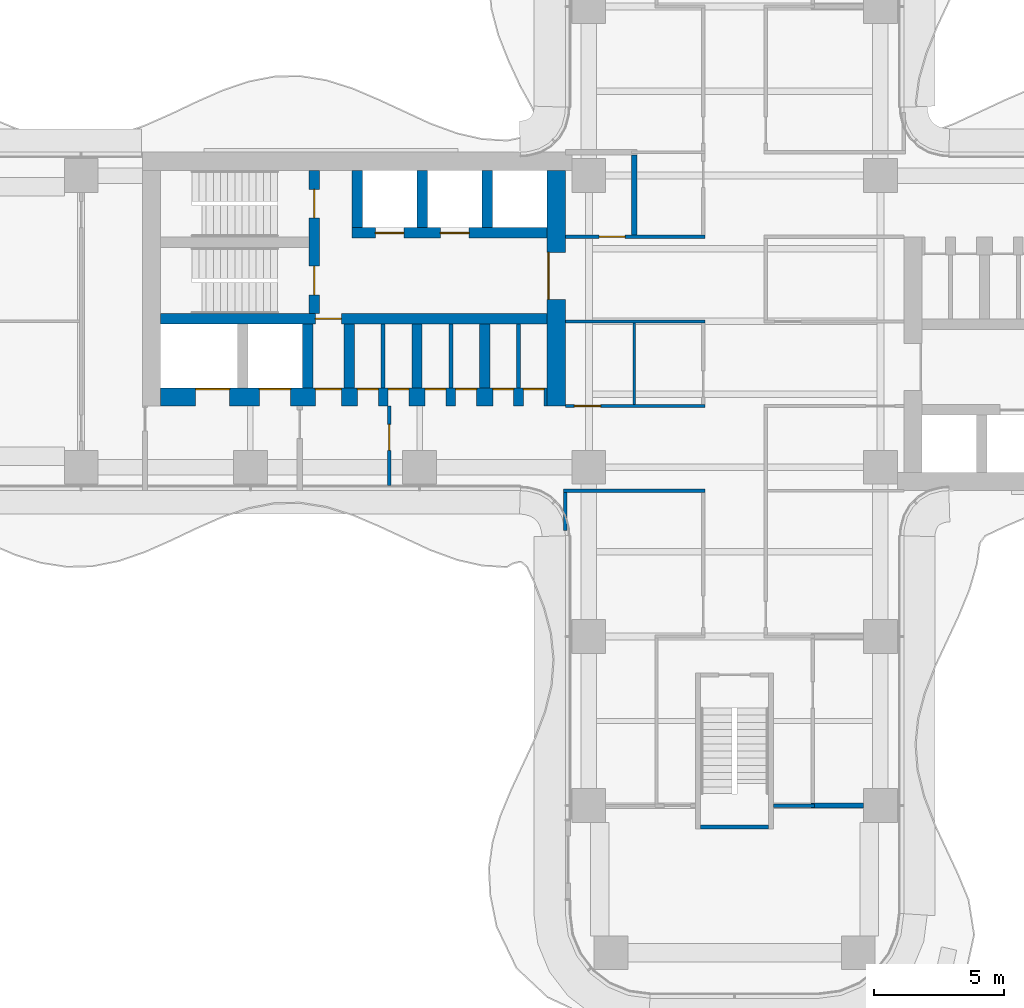
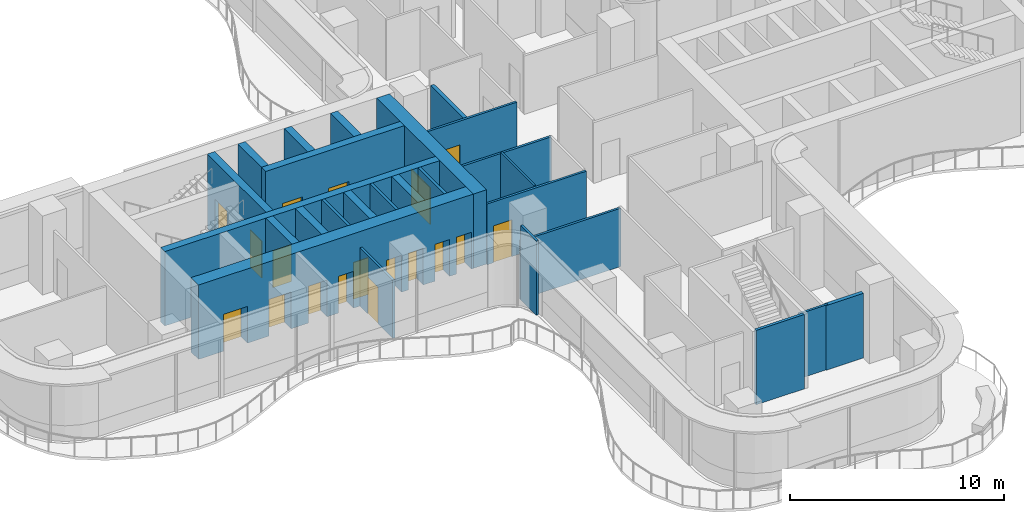
# One storey, part 15 of 20: 26 walls, 18 doors, 18 openings.
"""IFC4 building model written with IfcOpenShell, lengths in metres."""

import ifcopenshell
import ifcopenshell.guid

model = None  # the IFC model being written
_history = None  # IfcOwnerHistory: only IFC2X3 demands one
_inside = {}  # id of a spatial element -> (the spatial element, [elements in it])
_under = {}  # id of a project, library or spatial element -> (it, [spatial elements below it])
_declared = {}  # id of a project -> (the project, [libraries it declares])
_typed = {}  # id of a type object -> (the type object, [elements of that type])
_made_of = {}  # id of a material, layer set ... -> (it, [elements and type objects made of it])


def new_model(schema):
    """Start an empty IFC model of exactly this schema.

    Asked for "IFC4X3", IfcOpenShell would pick the latest addendum, in which some entities
    have other attributes; the version numbers below select the first issue.
    IFC2X3 requires an IfcOwnerHistory on every rooted entity: one is made here for all.
    """
    global model, _history
    if schema == "IFC4X3":
        model = ifcopenshell.file(schema_version=(4, 3, 0, 0))
    else:
        model = ifcopenshell.file(schema=schema)
    _inside.clear()
    _under.clear()
    _declared.clear()
    _typed.clear()
    _made_of.clear()
    _history = None
    if model.schema == "IFC2X3":
        org = make("IfcOrganization", Name="unknown")
        user = make(
            "IfcPersonAndOrganization",
            ThePerson=make("IfcPerson", FamilyName="unknown"),
            TheOrganization=org,
        )
        app = make(
            "IfcApplication",
            ApplicationDeveloper=org,
            Version="unknown",
            ApplicationFullName="unknown",
            ApplicationIdentifier="unknown",
        )
        _history = make(
            "IfcOwnerHistory",
            OwningUser=user,
            OwningApplication=app,
            ChangeAction="ADDED",
            CreationDate=0,
        )
    return model


def make(cls, **values):
    """One entity of the class cls with the attributes given. An attribute that is None is left unset."""
    return model.create_entity(
        cls, **{name: value for name, value in values.items() if value is not None}
    )


def rooted(cls, **values):
    """An entity with a GlobalId (a new one), such as an element, a storey or a relation."""
    return make(cls, GlobalId=ifcopenshell.guid.new(), OwnerHistory=_history, **values)


def si_unit(unit_type, name, prefix=None):
    """IfcSIUnit, for example si_unit("LENGTHUNIT", "METRE", prefix="MILLI")."""
    return make("IfcSIUnit", UnitType=unit_type, Prefix=prefix, Name=name)


def assignment(units):
    """IfcUnitAssignment: the units of a project."""
    return None if units is None else make("IfcUnitAssignment", Units=units)


def point(xyz):
    """IfcCartesianPoint."""
    return None if xyz is None else make("IfcCartesianPoint", Coordinates=xyz)


def direction(xyz):
    """IfcDirection."""
    return None if xyz is None else make("IfcDirection", DirectionRatios=xyz)


def frame(location, z_axis=None, x_axis=None):
    """IfcAxis2Placement3D, a coordinate frame: its origin and axes. An axis left out is left unset."""
    return make(
        "IfcAxis2Placement3D",
        Location=point(location),
        Axis=direction(z_axis),
        RefDirection=direction(x_axis),
    )


def frame_2d(location, x_axis=None):
    """IfcAxis2Placement2D, a coordinate frame in the plane: its origin and x axis."""
    return make(
        "IfcAxis2Placement2D", Location=point(location), RefDirection=direction(x_axis)
    )


def origin():
    """The frame at (0, 0, 0) with its axes left unset."""
    return frame((0.0, 0.0, 0.0))


def place(relative_to, where):
    """IfcLocalPlacement: puts the frame where relative to a parent placement (None: the world)."""
    return make(
        "IfcLocalPlacement", PlacementRelTo=relative_to, RelativePlacement=where
    )


def context(
    kind, dimensions, precision=None, world=None, true_north=None, identifier=None
):
    """IfcGeometricRepresentationContext, for example the 3D "Model" context."""
    return make(
        "IfcGeometricRepresentationContext",
        ContextIdentifier=identifier,
        ContextType=kind,
        CoordinateSpaceDimension=dimensions,
        Precision=precision,
        WorldCoordinateSystem=world,
        TrueNorth=true_north,
    )


def subcontext(parent, identifier, kind, view, scale=None):
    """IfcGeometricRepresentationSubContext, for example "Body" below "Model"."""
    return make(
        "IfcGeometricRepresentationSubContext",
        ContextIdentifier=identifier,
        ContextType=kind,
        ParentContext=parent,
        TargetScale=scale,
        TargetView=view,
    )


def project(units=None, contexts=None):
    """IfcProject with its units and contexts."""
    return rooted(
        "IfcProject",
        Name="project",
        RepresentationContexts=contexts,
        UnitsInContext=assignment(units),
    )


def spatial(cls, under=None, at=None, **own):
    """A site, building, storey or space (cls), placed at a placement, below another one or the project."""
    s = rooted(cls, ObjectPlacement=at, **own)
    if under is not None:
        _under.setdefault(under.id(), (under, []))[1].append(s)
    return s


def profile(cls, at=None, kind="AREA", **sizes):
    """A parametric profile (cls). Its sizes go by their IFC names, for example OverallWidth=200.0."""
    return make(cls, ProfileType=kind, Position=at, **sizes)


def rectangle(**sizes):
    """IfcRectangleProfileDef."""
    return profile("IfcRectangleProfileDef", **sizes)


def extrude(swept, where, along, depth):
    """IfcExtrudedAreaSolid: the profile swept, set in the frame where, extruded along a direction by depth."""
    return make(
        "IfcExtrudedAreaSolid",
        SweptArea=swept,
        Position=where,
        ExtrudedDirection=direction(along),
        Depth=depth,
    )


def shape(context_of_items, identifier, shape_type, items):
    """IfcShapeRepresentation: the items that make up one representation, for example the "Body"."""
    return make(
        "IfcShapeRepresentation",
        ContextOfItems=context_of_items,
        RepresentationIdentifier=identifier,
        RepresentationType=shape_type,
        Items=items,
    )


def source(mapping_origin, context_of_items, identifier, shape_type, items):
    """IfcRepresentationMap: a shape defined once, which mapped items show again and again."""
    return make(
        "IfcRepresentationMap",
        MappingOrigin=mapping_origin,
        MappedRepresentation=shape(context_of_items, identifier, shape_type, items),
    )


def transform(
    local_origin,
    x_axis=None,
    y_axis=None,
    z_axis=None,
    scale=None,
    scale2=None,
    scale3=None,
    uniform=True,
):
    """IfcCartesianTransformationOperator3D, or its non-uniform kind. x_axis, y_axis, z_axis: its Axis1, 2, 3."""
    if uniform:
        return make(
            "IfcCartesianTransformationOperator3D",
            Axis1=direction(x_axis),
            Axis2=direction(y_axis),
            LocalOrigin=point(local_origin),
            Scale=scale,
            Axis3=direction(z_axis),
        )
    return make(
        "IfcCartesianTransformationOperator3DnonUniform",
        Axis1=direction(x_axis),
        Axis2=direction(y_axis),
        LocalOrigin=point(local_origin),
        Scale=scale,
        Axis3=direction(z_axis),
        Scale2=scale2,
        Scale3=scale3,
    )


def mapped(mapping_source, mapping_target):
    """IfcMappedItem: shows the shape of a source again, moved by a transform."""
    return make(
        "IfcMappedItem", MappingSource=mapping_source, MappingTarget=mapping_target
    )


def material(Name=None, Category=None):
    """IfcMaterial."""
    return make("IfcMaterial", Name=Name, Category=Category)


def layer(
    of_material, thickness, ventilated=None, Name=None, Category=None, Priority=None
):
    """IfcMaterialLayer: one layer of a wall or slab, of a material (None: an air gap)."""
    return make(
        "IfcMaterialLayer",
        Material=of_material,
        LayerThickness=thickness,
        IsVentilated=ventilated,
        Name=Name,
        Category=Category,
        Priority=Priority,
    )


def layer_set(layers, Name=None):
    """IfcMaterialLayerSet."""
    return make("IfcMaterialLayerSet", MaterialLayers=layers, LayerSetName=Name)


def made_of(thing, what):
    """Note that an element or type object is made of a material, layer set ...; save() writes the relation."""
    if what is not None:
        _made_of.setdefault(what.id(), (what, []))[1].append(thing)
    return thing


def type_object(cls, material=None, **own):
    """A type object (cls), such as IfcWallType, which elements share."""
    return made_of(rooted(cls, **own), material)


def element(
    cls,
    number,
    at=None,
    inside=None,
    cuts=None,
    type_object=None,
    material=None,
    context=None,
    identifier="Body",
    shape_type=None,
    held_by="IfcProductDefinitionShape",
    body=None,
    shapes=None,
    **own,
):
    """One element of the class cls, such as IfcWall. Its Tag is "e" and its number.

    at: its placement. inside: the storey or other place that contains it. cuts: it is an
    opening in that element (IfcRelVoidsElement). A single representation is given by context,
    identifier, shape_type and body (its items); several are given by shapes. held_by: the class
    of the entity that holds the representations. save() writes the other relations.
    """
    e = rooted(cls, Tag="e%d" % number, ObjectPlacement=at, **own)
    if body is not None:
        shapes = [shape(context, identifier, shape_type, body)]
    if shapes is not None:
        e.Representation = make(held_by, Representations=shapes)
    if inside is not None:
        _inside.setdefault(inside.id(), (inside, []))[1].append(e)
    if cuts is not None:
        rooted(
            "IfcRelVoidsElement", RelatingBuildingElement=cuts, RelatedOpeningElement=e
        )
    if type_object is not None:
        _typed.setdefault(type_object.id(), (type_object, []))[1].append(e)
    return made_of(e, material)


def fill(opening, filler):
    """IfcRelFillsElement: the door or window that sits in an opening."""
    return rooted(
        "IfcRelFillsElement",
        RelatingOpeningElement=opening,
        RelatedBuildingElement=filler,
    )


def aggregate(whole, parts):
    """IfcRelAggregates: a whole, such as a stair, and the parts it consists of."""
    return rooted("IfcRelAggregates", RelatingObject=whole, RelatedObjects=parts)


def save(model, path):
    """Write the relations noted so far, then the file.

    IfcRelAggregates (storeys below a building ...), IfcRelContainedInSpatialStructure (elements
    in a storey), IfcRelDefinesByType, IfcRelAssociatesMaterial and IfcRelDeclares: one each for
    every whole, place, type object, material and project.
    """
    for whole, parts in _under.values():
        aggregate(whole, parts)
    for where, things in _inside.values():
        rooted(
            "IfcRelContainedInSpatialStructure",
            RelatedElements=things,
            RelatingStructure=where,
        )
    for kind, things in _typed.values():
        rooted("IfcRelDefinesByType", RelatedObjects=things, RelatingType=kind)
    for what, things in _made_of.values():
        rooted("IfcRelAssociatesMaterial", RelatedObjects=things, RelatingMaterial=what)
    for by, libraries in _declared.values():
        rooted("IfcRelDeclares", RelatingContext=by, RelatedDefinitions=libraries)
    model.write(path)


model = new_model("IFC4")

# Units and contexts
model_context = context("Model", 3, precision=1e-05, world=origin(), true_north=direction((0.0, 1.0)))
body_context = subcontext(model_context, "Body", "Model", "MODEL_VIEW")
ifc_project = project(units=[si_unit("LENGTHUNIT", "METRE"), si_unit("AREAUNIT", "SQUARE_METRE"), si_unit("VOLUMEUNIT", "CUBIC_METRE"), si_unit("PLANEANGLEUNIT", "RADIAN"), si_unit("MASSUNIT", "GRAM", prefix="KILO")], contexts=[model_context])

# Site, building, storey
site_placement = place(None, origin())
site = spatial("IfcSite", under=ifc_project, at=site_placement, CompositionType="ELEMENT")
building_placement = place(site_placement, origin())
building = spatial("IfcBuilding", under=site, at=building_placement, Name="Trellis Farm Tower", CompositionType="ELEMENT")
storey_placement = place(building_placement, frame((0.0, 0.0, 142.5)))
storey = spatial("IfcBuildingStorey", under=building, at=storey_placement, Name="L30", CompositionType="ELEMENT", Elevation=142.5)

# Wall, opening, door
ifc_material_1 = material(Name="Concrete C70/85", Category="concrete")
ifc_layer_1 = layer(ifc_material_1, 0.699951171875)
ifc_layer_set_1 = layer_set([ifc_layer_1], Name="CORE OUTER WALL 700 CONCRETE C70/85")
wall_type_1 = type_object("IfcWallType", Name="CORE OUTER WALL 700 CONCRETE C70/85", PredefinedType="SHEAR", material=ifc_layer_set_1)
shared_shape_1 = source(origin(), body_context, "Body", "SweptSolid", [
    extrude(rectangle(XDim=9.050048828125, YDim=0.699951171875, at=frame_2d((4.52490234375, 0.0))), origin(), (0.0, 0.0, 1.0), 4.25),
])
wall_1_placement = place(storey_placement, frame((-6.85009765625, 5.800048828125, 0.0), z_axis=(0.0, 0.0, 1.0), x_axis=(0.0, -1.0, 0.0)))
wall_1 = element("IfcWall", 1, at=wall_1_placement, inside=storey, type_object=wall_type_1, Name="Core wall", PredefinedType="SHEAR", context=body_context, shape_type="MappedRepresentation", body=[
    mapped(shared_shape_1, transform((0.0, 0.0, 0.0))),
])
shared_shape_2 = source(origin(), body_context, "Body", "SweptSolid", [
    extrude(rectangle(XDim=1.800048828125, YDim=2.10009765625, at=frame_2d((0.89990234375, 1.050048828125))), frame((0.0, 0.360107421875, 0.0), z_axis=(0.0, -1.0, 0.0), x_axis=(1.0, 0.0, 0.0)), (0.0, 0.0, 1.0), 0.72021484375),
])
opening_1_placement = place(wall_1_placement, frame((3.14990234375, 0.0, 0.0)))
opening_1 = element("IfcOpeningElement", 2, at=opening_1_placement, cuts=wall_1, Name="Opening DC87", PredefinedType="OPENING", context=body_context, shape_type="MappedRepresentation", body=[
    mapped(shared_shape_2, transform((0.0, 0.0, 0.0))),
])
ifc_material_2 = material(Name="Steel", Category="steel")
door_type_1 = type_object("IfcDoorType", Name="CORE FIRE DOOR DOUBLE 1800 X 2100", OperationType="DOUBLE_DOOR_SINGLE_SWING", PredefinedType="DOOR", material=ifc_material_2)
shared_shape_3 = source(origin(), body_context, "Body", "SweptSolid", [
    extrude(rectangle(XDim=1.800048828125, YDim=2.10009765625, at=frame_2d((0.89990234375, 1.050048828125))), frame((0.0, -0.27490234375, 0.0), z_axis=(0.0, -1.0, 0.0), x_axis=(1.0, 0.0, 0.0)), (0.0, 0.0, 1.0), 0.050048828125),
])
door_1_placement = place(opening_1_placement, origin())
door_1 = element("IfcDoor", 3, at=door_1_placement, inside=storey, type_object=door_type_1, Name="Core door", OperationType="DOUBLE_DOOR_SINGLE_SWING", OverallHeight=2.10009765625, OverallWidth=1.800048828125, PredefinedType="DOOR", context=body_context, shape_type="MappedRepresentation", body=[
    mapped(shared_shape_3, transform((0.0, 0.0, 0.0))),
])
fill(opening_1, door_1)

# Walls
ifc_layer_2 = layer(ifc_material_1, 0.39990234375)
ifc_layer_set_2 = layer_set([ifc_layer_2], Name="CORE INNER WALL 400 CONCRETE C70/85")
wall_type_2 = type_object("IfcWallType", Name="CORE INNER WALL 400 CONCRETE C70/85", PredefinedType="SHEAR", material=ifc_layer_set_2)
shared_shape_4 = source(origin(), body_context, "Body", "SweptSolid", [
    extrude(rectangle(XDim=2.199951171875, YDim=0.39990234375, at=frame_2d((1.10009765625, 0.0))), origin(), (0.0, 0.0, 1.0), 4.25),
])
for number, where, z_axis, x_axis, name in (
    (4, (-9.5, 5.800048828125, 0.0), (0.0, 0.0, 1.0), (0.0, -1.0, 0.0), "Core wall"),
    (5, (-12.0, 5.800048828125, 0.0), (0.0, 0.0, 1.0), (0.0, -1.0, 0.0), "Core wall"),
    (6, (-14.5, 5.800048828125, 0.0), (0.0, 0.0, 1.0), (0.0, -1.0, 0.0), "Core wall"),
):
    element("IfcWall", number, at=place(storey_placement, frame(where, z_axis=z_axis, x_axis=x_axis)), inside=storey, type_object=wall_type_2, Name=name, PredefinedType="SHEAR", context=body_context, shape_type="MappedRepresentation", body=[
        mapped(shared_shape_4, transform((0.0, 0.0, 0.0))),
    ])
shared_shape_5 = source(origin(), body_context, "Body", "SweptSolid", [
    extrude(rectangle(XDim=2.449951171875, YDim=0.39990234375, at=frame_2d((1.22509765625, 0.0))), origin(), (0.0, 0.0, 1.0), 4.25),
])
for number, where, z_axis, x_axis, name in (
    (7, (-9.60009765625, -0.10009765625, 0.0), (0.0, 0.0, 1.0), (0.0, -1.0, 0.0), "Core wall"),
    (8, (-12.199951171875, -0.10009765625, 0.0), (0.0, 0.0, 1.0), (0.0, -1.0, 0.0), "Core wall"),
    (9, (-14.800048828125, -0.10009765625, 0.0), (0.0, 0.0, 1.0), (0.0, -1.0, 0.0), "Core wall"),
    (10, (-16.39990234375, -0.10009765625, 0.0), (0.0, 0.0, 1.0), (0.0, -1.0, 0.0), "Core wall"),
):
    element("IfcWall", number, at=place(storey_placement, frame(where, z_axis=z_axis, x_axis=x_axis)), inside=storey, type_object=wall_type_2, Name=name, PredefinedType="SHEAR", context=body_context, shape_type="MappedRepresentation", body=[
        mapped(shared_shape_5, transform((0.0, 0.0, 0.0))),
    ])

# Wall, openings, doors
shared_shape_6 = source(origin(), body_context, "Body", "SweptSolid", [
    extrude(rectangle(XDim=14.85009765625, YDim=0.699951171875, at=frame_2d((7.425048828125, 0.0))), origin(), (0.0, 0.0, 1.0), 4.25),
])
wall_2_placement = place(storey_placement, frame((-7.199951171875, -2.89990234375, 0.0), z_axis=(0.0, 0.0, 1.0), x_axis=(-1.0, 0.0, 0.0)))
wall_2 = element("IfcWall", 11, at=wall_2_placement, inside=storey, type_object=wall_type_1, Name="Core wall", PredefinedType="SHEAR", context=body_context, shape_type="MappedRepresentation", body=[
    mapped(shared_shape_6, transform((0.0, 0.0, 0.0))),
])
shared_shape_7 = source(origin(), body_context, "Body", "SweptSolid", [
    extrude(rectangle(XDim=1.300048828125, YDim=2.10009765625, at=frame_2d((0.64990234375, 1.050048828125))), frame((0.0, 0.360107421875, 0.0), z_axis=(0.0, -1.0, 0.0), x_axis=(1.0, 0.0, 0.0)), (0.0, 0.0, 1.0), 0.72021484375),
])
opening_2_placement = place(wall_2_placement, frame((12.199951171875, 0.0, 0.0)))
opening_2 = element("IfcOpeningElement", 12, at=opening_2_placement, cuts=wall_2, Name="Opening LD15", PredefinedType="OPENING", context=body_context, shape_type="MappedRepresentation", body=[
    mapped(shared_shape_7, transform((0.0, 0.0, 0.0))),
])
shared_shape_8 = source(origin(), body_context, "Body", "SweptSolid", [
    extrude(rectangle(XDim=1.199951171875, YDim=2.10009765625, at=frame_2d((0.60009765625, 1.050048828125))), frame((0.0, 0.360107421875, 0.0), z_axis=(0.0, -1.0, 0.0), x_axis=(1.0, 0.0, 0.0)), (0.0, 0.0, 1.0), 0.72021484375),
])
opening_3_placement = place(wall_2_placement, frame((9.85009765625, 0.0, 0.0)))
opening_3 = element("IfcOpeningElement", 13, at=opening_3_placement, cuts=wall_2, Name="Opening LD16", PredefinedType="OPENING", context=body_context, shape_type="MappedRepresentation", body=[
    mapped(shared_shape_8, transform((0.0, 0.0, 0.0))),
])
shared_shape_9 = source(origin(), body_context, "Body", "SweptSolid", [
    extrude(rectangle(XDim=1.0, YDim=2.10009765625, at=frame_2d((0.5, 1.050048828125))), frame((0.0, 0.360107421875, 0.0), z_axis=(0.0, -1.0, 0.0), x_axis=(1.0, 0.0, 0.0)), (0.0, 0.0, 1.0), 0.72021484375),
])
opening_4_placement = place(wall_2_placement, frame((7.89990234375, 0.0, 0.0)))
opening_4 = element("IfcOpeningElement", 14, at=opening_4_placement, cuts=wall_2, Name="Opening DC92", PredefinedType="OPENING", context=body_context, shape_type="MappedRepresentation", body=[
    mapped(shared_shape_9, transform((0.0, 0.0, 0.0))),
])
shared_shape_10 = source(origin(), body_context, "Body", "SweptSolid", [
    extrude(rectangle(XDim=0.800048828125, YDim=2.10009765625, at=frame_2d((0.39990234375, 1.050048828125))), frame((0.0, 0.360107421875, 0.0), z_axis=(0.0, -1.0, 0.0), x_axis=(1.0, 0.0, 0.0)), (0.0, 0.0, 1.0), 0.72021484375),
])
opening_5_placement = place(wall_2_placement, frame((0.112548828125, 0.0, 0.0)))
opening_5 = element("IfcOpeningElement", 15, at=opening_5_placement, cuts=wall_2, Name="Opening DC95", PredefinedType="OPENING", context=body_context, shape_type="MappedRepresentation", body=[
    mapped(shared_shape_10, transform((0.0, 0.0, 0.0))),
])
opening_6_placement = place(wall_2_placement, frame((1.28759765625, 0.0, 0.0)))
opening_6 = element("IfcOpeningElement", 16, at=opening_6_placement, cuts=wall_2, Name="Opening DC102", PredefinedType="OPENING", context=body_context, shape_type="MappedRepresentation", body=[
    mapped(shared_shape_10, transform((0.0, 0.0, 0.0))),
])
opening_7_placement = place(wall_2_placement, frame((2.71240234375, 0.0, 0.0)))
opening_7 = element("IfcOpeningElement", 17, at=opening_7_placement, cuts=wall_2, Name="Opening DC107", PredefinedType="OPENING", context=body_context, shape_type="MappedRepresentation", body=[
    mapped(shared_shape_10, transform((0.0, 0.0, 0.0))),
])
opening_8_placement = place(wall_2_placement, frame((3.887451171875, 0.0, 0.0)))
opening_8 = element("IfcOpeningElement", 18, at=opening_8_placement, cuts=wall_2, Name="Opening DC114", PredefinedType="OPENING", context=body_context, shape_type="MappedRepresentation", body=[
    mapped(shared_shape_10, transform((0.0, 0.0, 0.0))),
])
opening_9_placement = place(wall_2_placement, frame((5.3125, 0.0, 0.0)))
opening_9 = element("IfcOpeningElement", 19, at=opening_9_placement, cuts=wall_2, Name="Opening DC119", PredefinedType="OPENING", context=body_context, shape_type="MappedRepresentation", body=[
    mapped(shared_shape_10, transform((0.0, 0.0, 0.0))),
])
opening_10_placement = place(wall_2_placement, frame((6.487548828125, 0.0, 0.0)))
opening_10 = element("IfcOpeningElement", 20, at=opening_10_placement, cuts=wall_2, Name="Opening DC126", PredefinedType="OPENING", context=body_context, shape_type="MappedRepresentation", body=[
    mapped(shared_shape_10, transform((0.0, 0.0, 0.0))),
])
door_type_2 = type_object("IfcDoorType", Name="CORE FIRE DOOR 1000 X 2100", OperationType="NOTDEFINED", PredefinedType="DOOR", material=ifc_material_2)
shared_shape_11 = source(origin(), body_context, "Body", "SweptSolid", [
    extrude(rectangle(XDim=1.0, YDim=2.10009765625, at=frame_2d((0.5, 1.050048828125))), frame((0.0, -0.27490234375, 0.0), z_axis=(0.0, -1.0, 0.0), x_axis=(1.0, 0.0, 0.0)), (0.0, 0.0, 1.0), 0.050048828125),
])
door_2_placement = place(opening_4_placement, origin())
door_2 = element("IfcDoor", 21, at=door_2_placement, inside=storey, type_object=door_type_2, Name="Core door", OperationType="SINGLE_SWING_LEFT", OverallHeight=2.10009765625, OverallWidth=1.0, PredefinedType="DOOR", context=body_context, shape_type="MappedRepresentation", body=[
    mapped(shared_shape_11, transform((0.0, 0.0, 0.0))),
])
fill(opening_4, door_2)
ifc_material_3 = material(Name="Stainless steel", Category="steel")
door_type_3 = type_object("IfcDoorType", Name="LIFT LANDING DOOR 1300 X 2100", OperationType="DOUBLE_DOOR_SLIDING", PredefinedType="DOOR", material=ifc_material_3)
shared_shape_12 = source(origin(), body_context, "Body", "SweptSolid", [
    extrude(rectangle(XDim=1.300048828125, YDim=2.10009765625, at=frame_2d((0.64990234375, 1.050048828125))), frame((0.0, -0.27490234375, 0.0), z_axis=(0.0, -1.0, 0.0), x_axis=(1.0, 0.0, 0.0)), (0.0, 0.0, 1.0), 0.050048828125),
])
door_3_placement = place(opening_2_placement, origin())
door_3 = element("IfcDoor", 22, at=door_3_placement, inside=storey, type_object=door_type_3, Name="Lift landing door", OperationType="DOUBLE_DOOR_SLIDING", OverallHeight=2.10009765625, OverallWidth=1.300048828125, PredefinedType="DOOR", context=body_context, shape_type="MappedRepresentation", body=[
    mapped(shared_shape_12, transform((0.0, 0.0, 0.0))),
])
fill(opening_2, door_3)
door_type_4 = type_object("IfcDoorType", Name="LIFT LANDING DOOR 1200 X 2100", OperationType="DOUBLE_DOOR_SLIDING", PredefinedType="DOOR", material=ifc_material_3)
shared_shape_13 = source(origin(), body_context, "Body", "SweptSolid", [
    extrude(rectangle(XDim=1.199951171875, YDim=2.10009765625, at=frame_2d((0.60009765625, 1.050048828125))), frame((0.0, -0.27490234375, 0.0), z_axis=(0.0, -1.0, 0.0), x_axis=(1.0, 0.0, 0.0)), (0.0, 0.0, 1.0), 0.050048828125),
])
door_4_placement = place(opening_3_placement, origin())
door_4 = element("IfcDoor", 23, at=door_4_placement, inside=storey, type_object=door_type_4, Name="Lift landing door", OperationType="DOUBLE_DOOR_SLIDING", OverallHeight=2.10009765625, OverallWidth=1.199951171875, PredefinedType="DOOR", context=body_context, shape_type="MappedRepresentation", body=[
    mapped(shared_shape_13, transform((0.0, 0.0, 0.0))),
])
fill(opening_3, door_4)
door_type_5 = type_object("IfcDoorType", Name="CORE FIRE DOOR 800 X 2100", OperationType="NOTDEFINED", PredefinedType="DOOR", material=ifc_material_2)
shared_shape_14 = source(origin(), body_context, "Body", "SweptSolid", [
    extrude(rectangle(XDim=0.800048828125, YDim=2.10009765625, at=frame_2d((0.39990234375, 1.050048828125))), frame((0.0, -0.27490234375, 0.0), z_axis=(0.0, -1.0, 0.0), x_axis=(1.0, 0.0, 0.0)), (0.0, 0.0, 1.0), 0.050048828125),
])
door_5_placement = place(opening_5_placement, origin())
door_5 = element("IfcDoor", 24, at=door_5_placement, inside=storey, type_object=door_type_5, Name="Core door", OperationType="SINGLE_SWING_LEFT", OverallHeight=2.10009765625, OverallWidth=0.800048828125, PredefinedType="DOOR", context=body_context, shape_type="MappedRepresentation", body=[
    mapped(shared_shape_14, transform((0.0, 0.0, 0.0))),
])
fill(opening_5, door_5)
door_6_placement = place(opening_6_placement, origin())
door_6 = element("IfcDoor", 25, at=door_6_placement, inside=storey, type_object=door_type_5, Name="Core door", OperationType="SINGLE_SWING_RIGHT", OverallHeight=2.10009765625, OverallWidth=0.800048828125, PredefinedType="DOOR", context=body_context, shape_type="MappedRepresentation", body=[
    mapped(shared_shape_14, transform((0.0, 0.0, 0.0))),
])
fill(opening_6, door_6)
door_7_placement = place(opening_7_placement, origin())
door_7 = element("IfcDoor", 26, at=door_7_placement, inside=storey, type_object=door_type_5, Name="Core door", OperationType="SINGLE_SWING_LEFT", OverallHeight=2.10009765625, OverallWidth=0.800048828125, PredefinedType="DOOR", context=body_context, shape_type="MappedRepresentation", body=[
    mapped(shared_shape_14, transform((0.0, 0.0, 0.0))),
])
fill(opening_7, door_7)
door_8_placement = place(opening_8_placement, origin())
door_8 = element("IfcDoor", 27, at=door_8_placement, inside=storey, type_object=door_type_5, Name="Core door", OperationType="SINGLE_SWING_RIGHT", OverallHeight=2.10009765625, OverallWidth=0.800048828125, PredefinedType="DOOR", context=body_context, shape_type="MappedRepresentation", body=[
    mapped(shared_shape_14, transform((0.0, 0.0, 0.0))),
])
fill(opening_8, door_8)
door_9_placement = place(opening_9_placement, origin())
door_9 = element("IfcDoor", 28, at=door_9_placement, inside=storey, type_object=door_type_5, Name="Core door", OperationType="SINGLE_SWING_LEFT", OverallHeight=2.10009765625, OverallWidth=0.800048828125, PredefinedType="DOOR", context=body_context, shape_type="MappedRepresentation", body=[
    mapped(shared_shape_14, transform((0.0, 0.0, 0.0))),
])
fill(opening_9, door_9)
door_10_placement = place(opening_10_placement, origin())
door_10 = element("IfcDoor", 29, at=door_10_placement, inside=storey, type_object=door_type_5, Name="Core door", OperationType="SINGLE_SWING_RIGHT", OverallHeight=2.10009765625, OverallWidth=0.800048828125, PredefinedType="DOOR", context=body_context, shape_type="MappedRepresentation", body=[
    mapped(shared_shape_14, transform((0.0, 0.0, 0.0))),
])
fill(opening_10, door_10)

shared_shape_15 = source(origin(), body_context, "Body", "SweptSolid", [
    extrude(rectangle(XDim=7.5, YDim=0.39990234375, at=frame_2d((3.75, 0.0))), origin(), (0.0, 0.0, 1.0), 4.25),
])
wall_3_placement = place(storey_placement, frame((-7.199951171875, 3.39990234375, 0.0), z_axis=(0.0, 0.0, 1.0), x_axis=(-1.0, 0.0, 0.0)))
wall_3 = element("IfcWall", 30, at=wall_3_placement, inside=storey, type_object=wall_type_2, Name="Core wall", PredefinedType="SHEAR", context=body_context, shape_type="MappedRepresentation", body=[
    mapped(shared_shape_15, transform((0.0, 0.0, 0.0))),
])
shared_shape_16 = source(origin(), body_context, "Body", "SweptSolid", [
    extrude(rectangle(XDim=1.10009765625, YDim=2.10009765625, at=frame_2d((0.550048828125, 1.050048828125))), frame((0.0, 0.2099609375, 0.0), z_axis=(0.0, -1.0, 0.0), x_axis=(1.0, 0.0, 0.0)), (0.0, 0.0, 1.0), 0.419921875),
])
opening_11_placement = place(wall_3_placement, frame((3.0, 0.0, 0.0)))
opening_11 = element("IfcOpeningElement", 31, at=opening_11_placement, cuts=wall_3, Name="Opening LD10", PredefinedType="OPENING", context=body_context, shape_type="MappedRepresentation", body=[
    mapped(shared_shape_16, transform((0.0, 0.0, 0.0))),
])
opening_12_placement = place(wall_3_placement, frame((5.5, 0.0, 0.0)))
opening_12 = element("IfcOpeningElement", 32, at=opening_12_placement, cuts=wall_3, Name="Opening LD11", PredefinedType="OPENING", context=body_context, shape_type="MappedRepresentation", body=[
    mapped(shared_shape_16, transform((0.0, 0.0, 0.0))),
])
door_type_6 = type_object("IfcDoorType", Name="LIFT LANDING DOOR 1100 X 2100", OperationType="DOUBLE_DOOR_SLIDING", PredefinedType="DOOR", material=ifc_material_3)
shared_shape_17 = source(origin(), body_context, "Body", "SweptSolid", [
    extrude(rectangle(XDim=1.10009765625, YDim=2.10009765625, at=frame_2d((0.550048828125, 1.050048828125))), frame((0.0, 0.02490234375, 0.0), z_axis=(0.0, -1.0, 0.0), x_axis=(1.0, 0.0, 0.0)), (0.0, 0.0, 1.0), 0.050048828125),
])
door_11_placement = place(opening_11_placement, origin())
door_11 = element("IfcDoor", 33, at=door_11_placement, inside=storey, type_object=door_type_6, Name="Lift landing door", OperationType="DOUBLE_DOOR_SLIDING", OverallHeight=2.10009765625, OverallWidth=1.10009765625, PredefinedType="DOOR", context=body_context, shape_type="MappedRepresentation", body=[
    mapped(shared_shape_17, transform((0.0, 0.0, 0.0))),
])
fill(opening_11, door_11)
door_12_placement = place(opening_12_placement, origin())
door_12 = element("IfcDoor", 34, at=door_12_placement, inside=storey, type_object=door_type_6, Name="Lift landing door", OperationType="DOUBLE_DOOR_SLIDING", OverallHeight=2.10009765625, OverallWidth=1.10009765625, PredefinedType="DOOR", context=body_context, shape_type="MappedRepresentation", body=[
    mapped(shared_shape_17, transform((0.0, 0.0, 0.0))),
])
fill(opening_12, door_12)

# Wall, opening, door
shared_shape_18 = source(origin(), body_context, "Body", "SweptSolid", [
    extrude(rectangle(XDim=14.85009765625, YDim=0.39990234375, at=frame_2d((7.425048828125, 0.0))), origin(), (0.0, 0.0, 1.0), 4.25),
])
wall_4_placement = place(storey_placement, frame((-7.199951171875, 0.10009765625, 0.0), z_axis=(0.0, 0.0, 1.0), x_axis=(-1.0, 0.0, 0.0)))
wall_4 = element("IfcWall", 35, at=wall_4_placement, inside=storey, type_object=wall_type_2, Name="Core wall", PredefinedType="SHEAR", context=body_context, shape_type="MappedRepresentation", body=[
    mapped(shared_shape_18, transform((0.0, 0.0, 0.0))),
])
shared_shape_19 = source(origin(), body_context, "Body", "SweptSolid", [
    extrude(rectangle(XDim=1.0, YDim=2.10009765625, at=frame_2d((0.5, 1.050048828125))), frame((0.0, 0.2099609375, 0.0), z_axis=(0.0, -1.0, 0.0), x_axis=(1.0, 0.0, 0.0)), (0.0, 0.0, 1.0), 0.419921875),
])
opening_13_placement = place(wall_4_placement, frame((7.89990234375, 0.0, 0.0)))
opening_13 = element("IfcOpeningElement", 36, at=opening_13_placement, cuts=wall_4, Name="Opening DC91", PredefinedType="OPENING", context=body_context, shape_type="MappedRepresentation", body=[
    mapped(shared_shape_19, transform((0.0, 0.0, 0.0))),
])
shared_shape_20 = source(origin(), body_context, "Body", "SweptSolid", [
    extrude(rectangle(XDim=1.0, YDim=2.10009765625, at=frame_2d((0.5, 1.050048828125))), frame((0.0, 0.02490234375, 0.0), z_axis=(0.0, -1.0, 0.0), x_axis=(1.0, 0.0, 0.0)), (0.0, 0.0, 1.0), 0.050048828125),
])
door_13_placement = place(opening_13_placement, origin())
door_13 = element("IfcDoor", 37, at=door_13_placement, inside=storey, type_object=door_type_2, Name="Core door", OperationType="SINGLE_SWING_RIGHT", OverallHeight=2.10009765625, OverallWidth=1.0, PredefinedType="DOOR", context=body_context, shape_type="MappedRepresentation", body=[
    mapped(shared_shape_20, transform((0.0, 0.0, 0.0))),
])
fill(opening_13, door_13)

# Wall, openings, doors
shared_shape_21 = source(origin(), body_context, "Body", "SweptSolid", [
    extrude(rectangle(XDim=5.5, YDim=0.39990234375, at=frame_2d((2.75, 0.0))), origin(), (0.0, 0.0, 1.0), 4.25),
])
wall_5_placement = place(storey_placement, frame((-16.14990234375, 5.800048828125, 0.0), z_axis=(0.0, 0.0, 1.0), x_axis=(0.0, -1.0, 0.0)))
wall_5 = element("IfcWall", 38, at=wall_5_placement, inside=storey, type_object=wall_type_2, Name="Core wall", PredefinedType="SHEAR", context=body_context, shape_type="MappedRepresentation", body=[
    mapped(shared_shape_21, transform((0.0, 0.0, 0.0))),
])
opening_14_placement = place(wall_5_placement, frame((0.72509765625, 0.0, 0.0)))
opening_14 = element("IfcOpeningElement", 39, at=opening_14_placement, cuts=wall_5, Name="Opening DC88", PredefinedType="OPENING", context=body_context, shape_type="MappedRepresentation", body=[
    mapped(shared_shape_16, transform((0.0, 0.0, 0.0))),
])
opening_15_placement = place(wall_5_placement, frame((3.675048828125, 0.0, 0.0)))
opening_15 = element("IfcOpeningElement", 40, at=opening_15_placement, cuts=wall_5, Name="Opening DC89", PredefinedType="OPENING", context=body_context, shape_type="MappedRepresentation", body=[
    mapped(shared_shape_16, transform((0.0, 0.0, 0.0))),
])
door_type_7 = type_object("IfcDoorType", Name="CORE FIRE DOOR 1100 X 2100", OperationType="NOTDEFINED", PredefinedType="DOOR", material=ifc_material_2)
door_14_placement = place(opening_14_placement, origin())
door_14 = element("IfcDoor", 41, at=door_14_placement, inside=storey, type_object=door_type_7, Name="Core door", OperationType="SINGLE_SWING_RIGHT", OverallHeight=2.10009765625, OverallWidth=1.10009765625, PredefinedType="DOOR", context=body_context, shape_type="MappedRepresentation", body=[
    mapped(shared_shape_17, transform((0.0, 0.0, 0.0))),
])
fill(opening_14, door_14)
door_15_placement = place(opening_15_placement, origin())
door_15 = element("IfcDoor", 42, at=door_15_placement, inside=storey, type_object=door_type_7, Name="Core door", OperationType="SINGLE_SWING_LEFT", OverallHeight=2.10009765625, OverallWidth=1.10009765625, PredefinedType="DOOR", context=body_context, shape_type="MappedRepresentation", body=[
    mapped(shared_shape_17, transform((0.0, 0.0, 0.0))),
])
fill(opening_15, door_15)

# Walls
ifc_material_4 = material(Name="Masonry blockwork", Category="masonry")
ifc_layer_3 = layer(ifc_material_4, 0.14990234375)
ifc_layer_set_3 = layer_set([ifc_layer_3], Name="CORE PARTITION 150 BLOCKWORK")
wall_type_3 = type_object("IfcWallType", Name="CORE PARTITION 150 BLOCKWORK", PredefinedType="PARTITIONING", material=ifc_layer_set_3)
shared_shape_22 = source(origin(), body_context, "Body", "SweptSolid", [
    extrude(rectangle(XDim=2.449951171875, YDim=0.14990234375, at=frame_2d((1.22509765625, 0.0))), origin(), (0.0, 0.0, 1.0), 4.25),
])
for number, where, z_axis, x_axis, name in (
    (43, (-8.300048828125, -0.10009765625, 0.0), (0.0, 0.0, 1.0), (0.0, -1.0, 0.0), "Core room partition"),
    (44, (-10.89990234375, -0.10009765625, 0.0), (0.0, 0.0, 1.0), (0.0, -1.0, 0.0), "Core room partition"),
    (45, (-13.5, -0.10009765625, 0.0), (0.0, 0.0, 1.0), (0.0, -1.0, 0.0), "Core room partition"),
):
    element("IfcWall", number, at=place(storey_placement, frame(where, z_axis=z_axis, x_axis=x_axis)), inside=storey, type_object=wall_type_3, Name=name, PredefinedType="PARTITIONING", context=body_context, shape_type="MappedRepresentation", body=[
        mapped(shared_shape_22, transform((0.0, 0.0, 0.0))),
    ])
ifc_layer_4 = layer(ifc_material_1, 0.14990234375)
ifc_layer_set_4 = layer_set([ifc_layer_4], Name="CORE STAIR ENCLOSURE WALL 150 CONCRETE C70/85")
wall_type_4 = type_object("IfcWallType", Name="CORE STAIR ENCLOSURE WALL 150 CONCRETE C70/85", PredefinedType="SHEAR", material=ifc_layer_set_4)
shared_shape_23 = source(origin(), body_context, "Body", "SweptSolid", [
    extrude(rectangle(XDim=2.60009765625, YDim=0.14990234375, at=frame_2d((1.300048828125, 0.0))), origin(), (0.0, 0.0, 1.0), 4.25),
])
wall_6_placement = place(storey_placement, frame((1.300048828125, -19.425048828125, 0.0), z_axis=(0.0, 0.0, 1.0), x_axis=(-1.0, 0.0, 0.0)))
element("IfcWall", 46, at=wall_6_placement, inside=storey, type_object=wall_type_4, Name="Stair enclosure wall", PredefinedType="SHEAR", context=body_context, shape_type="MappedRepresentation", body=[
    mapped(shared_shape_23, transform((0.0, 0.0, 0.0))),
])
ifc_material_5 = material(Name="Plasterboard on steel studs, mineral wool", Category="steel")
ifc_layer_5 = layer(ifc_material_5, 0.125)
ifc_layer_set_5 = layer_set([ifc_layer_5], Name="PARTITION 125 STUD EI 60")
wall_type_5 = type_object("IfcWallType", Name="PARTITION 125 STUD EI 60", PredefinedType="PARTITIONING", material=ifc_layer_set_5)
shared_shape_24 = source(origin(), body_context, "Body", "SweptSolid", [
    extrude(rectangle(XDim=1.468994140625, YDim=0.125, at=frame_2d((0.734375, 0.0))), origin(), (0.0, 0.0, 1.0), 4.25),
])
wall_7_placement = place(storey_placement, frame((-6.5, -6.5625, 0.0), z_axis=(0.0, 0.0, 1.0), x_axis=(0.0, -1.0, 0.0)))
element("IfcWall", 47, at=wall_7_placement, inside=storey, type_object=wall_type_5, Name="Partition PW1", PredefinedType="PARTITIONING", context=body_context, shape_type="MappedRepresentation", body=[
    mapped(shared_shape_24, transform((0.0, 0.0, 0.0))),
])

# Wall, opening, door
shared_shape_25 = source(origin(), body_context, "Body", "SweptSolid", [
    extrude(rectangle(XDim=5.362548828125, YDim=0.125, at=frame_2d((2.68115234375, 0.0))), origin(), (0.0, 0.0, 1.0), 3.4677734375),
])
wall_8_placement = place(storey_placement, frame((-1.137451171875, -3.25, 0.0), z_axis=(0.0, 0.0, 1.0), x_axis=(-1.0, 0.0, 0.0)))
wall_8 = element("IfcWall", 48, at=wall_8_placement, inside=storey, type_object=wall_type_5, Name="Partition PW1", PredefinedType="PARTITIONING", context=body_context, shape_type="MappedRepresentation", body=[
    mapped(shared_shape_25, transform((0.0, 0.0, 0.0))),
])
shared_shape_26 = source(origin(), body_context, "Body", "SweptSolid", [
    extrude(rectangle(XDim=1.0, YDim=2.10009765625, at=frame_2d((0.5, 1.050048828125))), frame((0.0, 0.072509765625, 0.0), z_axis=(0.0, -1.0, 0.0), x_axis=(1.0, 0.0, 0.0)), (0.0, 0.0, 1.0), 0.14501953125),
])
opening_16_placement = place(wall_8_placement, frame((4.012451171875, 0.0, 0.0)))
opening_16 = element("IfcOpeningElement", 49, at=opening_16_placement, cuts=wall_8, Name="Opening D105", PredefinedType="OPENING", context=body_context, shape_type="MappedRepresentation", body=[
    mapped(shared_shape_26, transform((0.0, 0.0, 0.0))),
])
ifc_material_6 = material(Name="Fire-rated timber door leaf in a hollow metal frame", Category="wood")
door_type_8 = type_object("IfcDoorType", Name="DOOR 1000x2100 FD30S", OperationType="NOTDEFINED", PredefinedType="DOOR", material=ifc_material_6)
door_16_placement = place(opening_16_placement, origin())
door_16 = element("IfcDoor", 50, at=door_16_placement, inside=storey, type_object=door_type_8, Name="Door D105", OperationType="SINGLE_SWING_RIGHT", OverallHeight=2.10009765625, OverallWidth=1.0, PredefinedType="DOOR", context=body_context, shape_type="MappedRepresentation", body=[
    mapped(shared_shape_20, transform((0.0, 0.0, 0.0))),
])
fill(opening_16, door_16)

# Wall
wall_9_placement = place(storey_placement, frame((-1.137451171875, 0.0, 0.0), z_axis=(0.0, 0.0, 1.0), x_axis=(-1.0, 0.0, 0.0)))
element("IfcWall", 51, at=wall_9_placement, inside=storey, type_object=wall_type_5, Name="Partition PW1", PredefinedType="PARTITIONING", context=body_context, shape_type="MappedRepresentation", body=[
    mapped(shared_shape_25, transform((0.0, 0.0, 0.0))),
])

# Wall, opening, door
wall_10_placement = place(storey_placement, frame((-6.5, 3.25, 0.0), z_axis=(0.0, 0.0, 1.0), x_axis=(1.0, 0.0, 0.0)))
wall_10 = element("IfcWall", 52, at=wall_10_placement, inside=storey, type_object=wall_type_5, Name="Partition PW1", PredefinedType="PARTITIONING", context=body_context, shape_type="MappedRepresentation", body=[
    mapped(shared_shape_25, transform((0.0, 0.0, 0.0))),
])
opening_17_placement = place(wall_10_placement, frame((1.300048828125, 0.0, 0.0)))
opening_17 = element("IfcOpeningElement", 53, at=opening_17_placement, cuts=wall_10, Name="Opening D302", PredefinedType="OPENING", context=body_context, shape_type="MappedRepresentation", body=[
    mapped(shared_shape_26, transform((0.0, 0.0, 0.0))),
])
door_type_9 = type_object("IfcDoorType", Name="DOOR 1000x2100 FD60", OperationType="NOTDEFINED", PredefinedType="DOOR", material=ifc_material_6)
door_17_placement = place(opening_17_placement, origin())
door_17 = element("IfcDoor", 54, at=door_17_placement, inside=storey, type_object=door_type_9, Name="Door D302", OperationType="SINGLE_SWING_RIGHT", OverallHeight=2.10009765625, OverallWidth=1.0, PredefinedType="DOOR", context=body_context, shape_type="MappedRepresentation", body=[
    mapped(shared_shape_20, transform((0.0, 0.0, 0.0))),
])
fill(opening_17, door_17)

# Walls
shared_shape_27 = source(origin(), body_context, "Body", "SweptSolid", [
    extrude(rectangle(XDim=5.425048828125, YDim=0.125, at=frame_2d((2.71240234375, 0.0))), origin(), (0.0, 0.0, 1.0), 3.330078125),
])
wall_11_placement = place(storey_placement, frame((-1.137451171875, -6.5, 0.0), z_axis=(0.0, 0.0, 1.0), x_axis=(-1.0, 0.0, 0.0)))
element("IfcWall", 55, at=wall_11_placement, inside=storey, type_object=wall_type_5, Name="Partition PW1", PredefinedType="PARTITIONING", context=body_context, shape_type="MappedRepresentation", body=[
    mapped(shared_shape_27, transform((0.0, 0.0, 0.0))),
])
ifc_material_7 = material(Name="Plasterboard on steel studs", Category="steel")
ifc_layer_6 = layer(ifc_material_7, 0.10009765625)
ifc_layer_set_6 = layer_set([ifc_layer_6], Name="PARTITION 100 STUD EI 30")
wall_type_6 = type_object("IfcWallType", Name="PARTITION 100 STUD EI 30", PredefinedType="PARTITIONING", material=ifc_layer_set_6)
shared_shape_28 = source(origin(), body_context, "Body", "SweptSolid", [
    extrude(rectangle(XDim=3.125, YDim=0.10009765625, at=frame_2d((1.5625, 0.0))), origin(), (0.0, 0.0, 1.0), 3.54638671875),
])
wall_12_placement = place(storey_placement, frame((-3.85009765625, -3.1875, 0.0), z_axis=(0.0, 0.0, 1.0), x_axis=(0.0, 1.0, 0.0)))
element("IfcWall", 56, at=wall_12_placement, inside=storey, type_object=wall_type_6, Name="Partition PW2", PredefinedType="PARTITIONING", context=body_context, shape_type="MappedRepresentation", body=[
    mapped(shared_shape_28, transform((0.0, 0.0, 0.0))),
])

# Wall, opening, door
shared_shape_29 = source(origin(), body_context, "Body", "SweptSolid", [
    extrude(rectangle(XDim=3.050048828125, YDim=0.125, at=frame_2d((1.52490234375, 0.0))), origin(), (0.0, 0.0, 1.0), 3.330078125),
])
wall_13_placement = place(storey_placement, frame((-13.26708984375, -6.300048828125, 0.0), z_axis=(0.0, 0.0, 1.0), x_axis=(0.0, 1.0, 0.0)))
wall_13 = element("IfcWall", 57, at=wall_13_placement, inside=storey, type_object=wall_type_5, Name="Partition PW1", PredefinedType="PARTITIONING", context=body_context, shape_type="MappedRepresentation", body=[
    mapped(shared_shape_29, transform((0.0, 0.0, 0.0))),
])
opening_18_placement = place(wall_13_placement, frame((1.35009765625, 0.0, 0.0)))
opening_18 = element("IfcOpeningElement", 58, at=opening_18_placement, cuts=wall_13, Name="Opening D301", PredefinedType="OPENING", context=body_context, shape_type="MappedRepresentation", body=[
    mapped(shared_shape_26, transform((0.0, 0.0, 0.0))),
])
door_18_placement = place(opening_18_placement, origin())
door_18 = element("IfcDoor", 59, at=door_18_placement, inside=storey, type_object=door_type_9, Name="Door D301", OperationType="SINGLE_SWING_LEFT", OverallHeight=2.10009765625, OverallWidth=1.0, PredefinedType="DOOR", context=body_context, shape_type="MappedRepresentation", body=[
    mapped(shared_shape_20, transform((0.0, 0.0, 0.0))),
])
fill(opening_18, door_18)

# Walls
shared_shape_30 = source(origin(), body_context, "Body", "SweptSolid", [
    extrude(rectangle(XDim=1.5625, YDim=0.125, at=frame_2d((0.78125, 0.0))), origin(), (0.0, 0.0, 1.0), 3.697021484375),
])
wall_14_placement = place(storey_placement, frame((3.0625, -18.60009765625, 0.0), z_axis=(0.0, 0.0, 1.0), x_axis=(-1.0, 0.0, 0.0)))
element("IfcWall", 60, at=wall_14_placement, inside=storey, type_object=wall_type_5, Name="Partition PW1", PredefinedType="PARTITIONING", context=body_context, shape_type="MappedRepresentation", body=[
    mapped(shared_shape_30, transform((0.0, 0.0, 0.0))),
])
ifc_material_8 = material(Name="Lightweight blockwork, plastered", Category="masonry")
ifc_layer_7 = layer(ifc_material_8, 0.199951171875)
ifc_layer_set_7 = layer_set([ifc_layer_7], Name="BLOCK WALL 200 EI 120")
wall_type_7 = type_object("IfcWallType", Name="BLOCK WALL 200 EI 120", PredefinedType="PARTITIONING", material=ifc_layer_set_7)
shared_shape_31 = source(origin(), body_context, "Body", "SweptSolid", [
    extrude(rectangle(XDim=2.012451171875, YDim=0.199951171875, at=frame_2d((1.00634765625, 0.0))), origin(), (0.0, 0.0, 1.0), 3.697021484375),
])
wall_15_placement = place(storey_placement, frame((2.9375, -18.60009765625, 0.0), z_axis=(0.0, 0.0, 1.0), x_axis=(1.0, 0.0, 0.0)))
element("IfcWall", 61, at=wall_15_placement, inside=storey, type_object=wall_type_7, Name="Partition PW3", PredefinedType="PARTITIONING", context=body_context, shape_type="MappedRepresentation", body=[
    mapped(shared_shape_31, transform((0.0, 0.0, 0.0))),
])
shared_shape_32 = source(origin(), body_context, "Body", "SweptSolid", [
    extrude(rectangle(XDim=3.08740234375, YDim=0.199951171875, at=frame_2d((1.543701171875, 0.0))), origin(), (0.0, 0.0, 1.0), 3.4677734375),
])
wall_16_placement = place(storey_placement, frame((-3.85009765625, 3.3125, 0.0), z_axis=(0.0, 0.0, 1.0), x_axis=(0.0, 1.0, 0.0)))
element("IfcWall", 62, at=wall_16_placement, inside=storey, type_object=wall_type_7, Name="Partition PW3", PredefinedType="PARTITIONING", context=body_context, shape_type="MappedRepresentation", body=[
    mapped(shared_shape_32, transform((0.0, 0.0, 0.0))),
])

save(model, "model.ifc")
